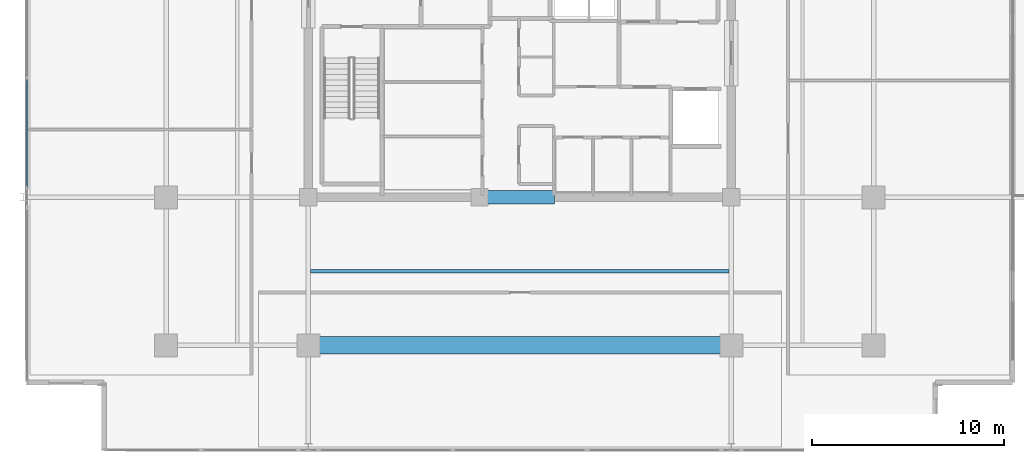
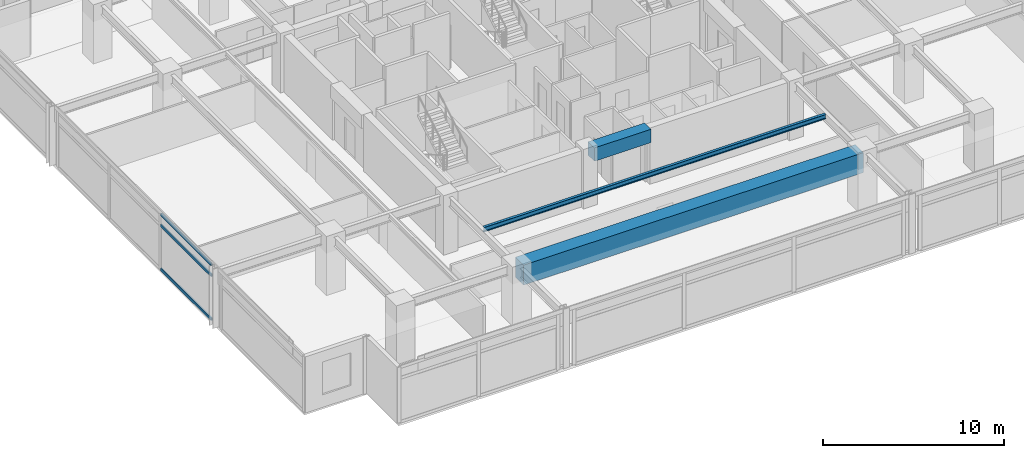
# One storey, part 4 of 21: 3 beams, 3 members, 1 element without a shape of its own.
"""IFC4 building model written with IfcOpenShell, lengths in metres."""

from ifc_helpers import new_model, si_unit, direction, frame, origin, origin_2d, place, context, subcontext, project, spatial, rectangle, hollow_rectangle, i_section, extrude, material, material_profile, profile_set, type_object, element, aggregate, save


model = new_model("IFC4")

# Units and contexts
model_context = context("Model", 3, precision=1e-05, world=origin(), true_north=direction((0.0, 1.0)))
body_context = subcontext(model_context, "Body", "Model", "MODEL_VIEW")
ifc_project = project(units=[si_unit("LENGTHUNIT", "METRE"), si_unit("AREAUNIT", "SQUARE_METRE"), si_unit("VOLUMEUNIT", "CUBIC_METRE"), si_unit("PLANEANGLEUNIT", "RADIAN"), si_unit("MASSUNIT", "GRAM", prefix="KILO")], contexts=[model_context])

# Site, building, storey
site_placement = place(None, origin())
site = spatial("IfcSite", under=ifc_project, at=site_placement, CompositionType="ELEMENT")
building_placement = place(site_placement, origin())
building = spatial("IfcBuilding", under=site, at=building_placement, Name="Kovane Verandah Tower", CompositionType="ELEMENT")
storey_placement = place(building_placement, frame((0.0, 0.0, 283.199951171875)))
storey = spatial("IfcBuildingStorey", under=building, at=storey_placement, Name="L66", CompositionType="ELEMENT", Elevation=283.199951171875)

# Beams
ifc_material_1 = material(Name="Concrete C60/75", Category="concrete")
ifc_material_profile_1 = material_profile(ifc_material_1, rectangle(XDim=0.699951171875, YDim=0.89990234375, at=origin_2d()), Name="RCB700x900")
ifc_profile_set_1 = profile_set([ifc_material_profile_1], Name="Concrete C60/75")
beam_type_1 = type_object("IfcBeamType", Name="BM-LINTEL-700x900", PredefinedType="LINTEL", material=ifc_profile_set_1)
beam_1_placement = place(storey_placement, frame((38.199951171875, 18.5, 3.3349609375), z_axis=(1.0, 0.0, 0.0), x_axis=(0.0, 1.0, 0.0)))
element("IfcBeam", 1, at=beam_1_placement, inside=storey, type_object=beam_type_1, Name="L66 Core Coupling Lintel CL-S", PredefinedType="LINTEL", context=body_context, shape_type="SweptSolid", body=[
    extrude(rectangle(XDim=0.699951171875, YDim=0.89990234375, at=origin_2d()), origin(), (0.0, 0.0, 1.0), 3.60009765625),
])
ifc_material_2 = material(Name="Concrete C80/95", Category="concrete")
ifc_material_profile_2 = material_profile(ifc_material_2, rectangle(XDim=0.89990234375, YDim=1.35009765625, at=origin_2d()), Name="RCB900x1350")
ifc_profile_set_2 = profile_set([ifc_material_profile_2], Name="Concrete C80/95")
beam_type_2 = type_object("IfcBeamType", Name="BM-TR-900x1350", PredefinedType="BEAM", material=ifc_profile_set_2)
beam_2_placement = place(storey_placement, frame((29.179931640625, 10.800048828125, 3.110107421875), z_axis=(1.0, 0.0, 0.0), x_axis=(0.0, 1.0, 0.0)))
element("IfcBeam", 2, at=beam_2_placement, inside=storey, type_object=beam_type_2, Name="L66 Primary Tower Girder G-RS2", PredefinedType="BEAM", context=body_context, shape_type="SweptSolid", body=[
    extrude(rectangle(XDim=0.89990234375, YDim=1.35009765625, at=origin_2d()), origin(), (0.0, 0.0, 1.0), 21.64013671875),
])

# Curtain wall, members
ifc_material_3 = material(Name="Champagne Anodised Aluminium Frame with Low-E Clear Laminated Glass", Category="aluminium")
curtain_wall_type = type_object("IfcCurtainWallType", Name="CW-SYS-05-HIGH", PredefinedType="NOTDEFINED", material=ifc_material_3)
curtain_wall_placement = place(storey_placement, origin())
curtain_wall = element("IfcCurtainWall", 3, at=curtain_wall_placement, inside=storey, type_object=curtain_wall_type, Name="L66 W Unitised Curtain Wall-2", PredefinedType="NOTDEFINED")
ifc_material_4 = material(Name="Champagne Anodised Aluminium 6063-T6", Category="aluminium")
ifc_material_profile_3 = material_profile(ifc_material_4, hollow_rectangle(XDim=0.0849609375, YDim=0.18994140625, WallThickness=0.00390625, at=origin_2d()), Name="AL85x190x4")
ifc_profile_set_3 = profile_set([ifc_material_profile_3], Name="Champagne Anodised Aluminium 6063-T6")
member_type = type_object("IfcMemberType", Name="CW-TRN-85x190", PredefinedType="USERDEFINED", material=ifc_profile_set_3)
member_1_placement = place(storey_placement, frame((14.36865234375, 24.623291015625, 0.050048828125), z_axis=(0.0, -1.0, 0.0), x_axis=(1.0, 0.0, 0.0)))
member_1 = element("IfcMember", 4, at=member_1_placement, type_object=member_type, Name="L66 W Unitised Curtain Wall-2 Transom TB Bay 3", ObjectType="TRANSOM", PredefinedType="USERDEFINED", context=body_context, shape_type="SweptSolid", body=[
    extrude(hollow_rectangle(XDim=0.0849609375, YDim=0.18994140625, WallThickness=0.00390625, at=origin_2d()), origin(), (0.0, 0.0, 1.0), 5.55322265625),
])
member_2_placement = place(storey_placement, frame((14.36865234375, 24.623291015625, 3.005126953125), z_axis=(0.0, -1.0, 0.0), x_axis=(1.0, 0.0, 0.0)))
member_2 = element("IfcMember", 5, at=member_2_placement, type_object=member_type, Name="L66 W Unitised Curtain Wall-2 Transom TM Bay 3", ObjectType="TRANSOM", PredefinedType="USERDEFINED", context=body_context, shape_type="SweptSolid", body=[
    extrude(hollow_rectangle(XDim=0.0849609375, YDim=0.18994140625, WallThickness=0.00390625, at=origin_2d()), origin(), (0.0, 0.0, 1.0), 5.55322265625),
])
member_3_placement = place(storey_placement, frame((14.36865234375, 24.623291015625, 3.735107421875), z_axis=(0.0, -1.0, 0.0), x_axis=(1.0, 0.0, 0.0)))
member_3 = element("IfcMember", 6, at=member_3_placement, type_object=member_type, Name="L66 W Unitised Curtain Wall-2 Transom TT Bay 3", ObjectType="TRANSOM", PredefinedType="USERDEFINED", context=body_context, shape_type="SweptSolid", body=[
    extrude(hollow_rectangle(XDim=0.0849609375, YDim=0.18994140625, WallThickness=0.00390625, at=origin_2d()), origin(), (0.0, 0.0, 1.0), 5.55322265625),
])
aggregate(curtain_wall, [member_1, member_2, member_3])

# Beam
ifc_material_5 = material(Name="Steel S355", Category="steel")
ifc_material_profile_4 = material_profile(ifc_material_5, i_section(OverallWidth=0.1669921875, OverallDepth=0.310302734375, WebThickness=0.0078125, FlangeThickness=0.013671875, FilletRadius=0.0087890625, at=origin_2d()), Name="UB305x165x54")
ifc_profile_set_4 = profile_set([ifc_material_profile_4], Name="Steel S355")
beam_type_3 = type_object("IfcBeamType", Name="JST-UB305x54", PredefinedType="JOIST", material=ifc_profile_set_4)
beam_3_placement = place(storey_placement, frame((29.113037109375, 14.64990234375, 3.6298828125), z_axis=(1.0, 0.0, 0.0), x_axis=(0.0, 1.0, 0.0)))
element("IfcBeam", 7, at=beam_3_placement, inside=storey, type_object=beam_type_3, Name="L66 Secondary Composite Joist J-S1", PredefinedType="JOIST", context=body_context, shape_type="SweptSolid", body=[
    extrude(i_section(OverallWidth=0.1669921875, OverallDepth=0.310302734375, WebThickness=0.0078125, FlangeThickness=0.013671875, FilletRadius=0.0087890625, at=origin_2d()), origin(), (0.0, 0.0, 1.0), 21.77392578125),
])

save(model, "model.ifc")
